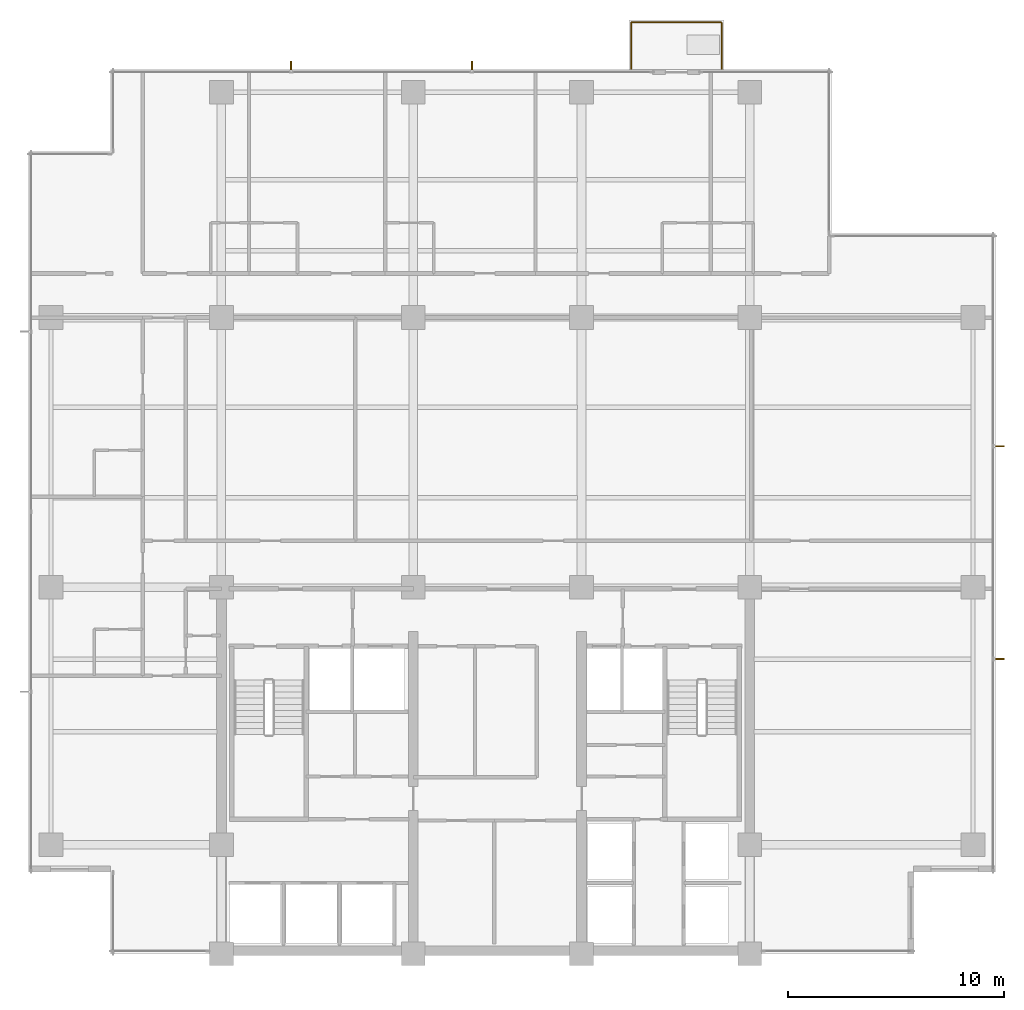
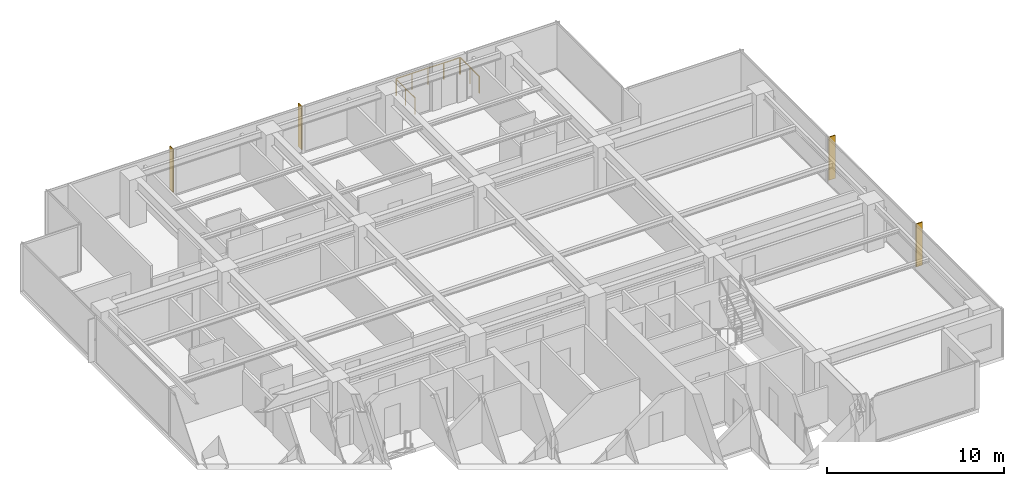
# One storey, part 15 of 15: 4 shading devices, 3 railings.
"""IFC4 building model written with IfcOpenShell, lengths in metres."""

from ifc_helpers import new_model, si_unit, direction, frame, origin, origin_2d, place, context, subcontext, project, spatial, polyline, circle, outline, extrude, material, layer, layer_set, type_object, element, save


model = new_model("IFC4")

# Units and contexts
model_context = context("Model", 3, precision=1e-05, world=origin(), true_north=direction((0.0, 1.0)))
body_context = subcontext(model_context, "Body", "Model", "MODEL_VIEW")
ifc_project = project(units=[si_unit("LENGTHUNIT", "METRE"), si_unit("AREAUNIT", "SQUARE_METRE"), si_unit("VOLUMEUNIT", "CUBIC_METRE"), si_unit("PLANEANGLEUNIT", "RADIAN"), si_unit("MASSUNIT", "GRAM", prefix="KILO")], contexts=[model_context])

# Site, building, storey
site_placement = place(None, origin())
site = spatial("IfcSite", under=ifc_project, at=site_placement, CompositionType="ELEMENT")
building_placement = place(site_placement, origin())
building = spatial("IfcBuilding", under=site, at=building_placement, Name="Qalmaran Belvedere Hotel", CompositionType="ELEMENT")
storey_placement = place(building_placement, frame((0.0, 0.0, 173.60009765625)))
storey = spatial("IfcBuildingStorey", under=building, at=storey_placement, Name="L44", CompositionType="ELEMENT", Elevation=173.60009765625)

# Shading devices
ifc_material = material(Name="Anodised Bronze Aluminium", Category="aluminium")
ifc_layer = layer(ifc_material, 0.06494140625, Name="Anodised Bronze Aluminium")
ifc_layer_set = layer_set([ifc_layer], Name="Anodised Bronze Aluminium")
shading_device_type = type_object("IfcShadingDeviceType", Name="FIN-BRNZ-420", PredefinedType="USERDEFINED", material=ifc_layer_set)
shading_device_1_placement = place(storey_placement, frame((0.0, 0.0, 0.159912109375)))
element("IfcShadingDevice", 1, at=shading_device_1_placement, inside=storey, type_object=shading_device_type, Name="L44 Bronze Fin 1", ObjectType="FIN", PredefinedType="USERDEFINED", context=body_context, shape_type="SweptSolid", body=[
    extrude(outline(polyline([(56.169921875, 17.13427734375), (56.590087890625, 17.13427734375), (56.590087890625, 17.19921875), (56.169921875, 17.19921875), (56.169921875, 17.13427734375)])), origin(), (0.0, 0.0, 1.0), 2.969970703125),
])
shading_device_2_placement = place(storey_placement, frame((0.0, 0.0, 0.159912109375)))
element("IfcShadingDevice", 2, at=shading_device_2_placement, inside=storey, type_object=shading_device_type, Name="L44 Bronze Fin 2", ObjectType="FIN", PredefinedType="USERDEFINED", context=body_context, shape_type="SweptSolid", body=[
    extrude(outline(polyline([(56.169921875, 27.000732421875), (56.590087890625, 27.000732421875), (56.590087890625, 27.06591796875), (56.169921875, 27.06591796875), (56.169921875, 27.000732421875)])), origin(), (0.0, 0.0, 1.0), 2.969970703125),
])
shading_device_3_placement = place(storey_placement, frame((0.0, 0.0, 0.159912109375)))
element("IfcShadingDevice", 3, at=shading_device_3_placement, inside=storey, type_object=shading_device_type, Name="L44 Bronze Fin 1", ObjectType="FIN", PredefinedType="USERDEFINED", context=body_context, shape_type="SweptSolid", body=[
    extrude(outline(polyline([(31.94921875, 44.469970703125), (31.94921875, 44.889892578125), (31.88427734375, 44.889892578125), (31.88427734375, 44.469970703125), (31.94921875, 44.469970703125)])), origin(), (0.0, 0.0, 1.0), 2.969970703125),
])
shading_device_4_placement = place(storey_placement, frame((0.0, 0.0, 0.159912109375)))
element("IfcShadingDevice", 4, at=shading_device_4_placement, inside=storey, type_object=shading_device_type, Name="L44 Bronze Fin 2", ObjectType="FIN", PredefinedType="USERDEFINED", context=body_context, shape_type="SweptSolid", body=[
    extrude(outline(polyline([(23.56591796875, 44.469970703125), (23.56591796875, 44.889892578125), (23.500732421875, 44.889892578125), (23.500732421875, 44.469970703125), (23.56591796875, 44.469970703125)])), origin(), (0.0, 0.0, 1.0), 2.969970703125),
])

# Railings
railing_type = type_object("IfcRailingType", Name="GRD-BAL-1150", PredefinedType="BALUSTRADE", material=ifc_material)
railing_1_placement = place(storey_placement, frame((39.300048828125, 44.534912109375, 0.0)))
element("IfcRailing", 5, at=railing_1_placement, inside=storey, type_object=railing_type, Name="L44 Guardrail BAL-L44-N-1", PredefinedType="BALUSTRADE", context=body_context, shape_type="SweptSolid", body=[
    extrude(circle(Radius=0.02392578125, at=origin_2d()), frame((0.0, 0.0, 1.1259765625), z_axis=(0.0, 1.0, 0.0), x_axis=(-1.0, 0.0, 0.0)), (0.0, 0.0, 1.0), 2.130126953125),
    extrude(circle(Radius=0.02099609375, at=origin_2d()), origin(), (0.0, 0.0, 1.0), 1.101806640625),
    extrude(circle(Radius=0.02099609375, at=origin_2d()), frame((0.0, 1.06494140625, 0.0)), (0.0, 0.0, 1.0), 1.101806640625),
    extrude(circle(Radius=0.02099609375, at=origin_2d()), frame((0.0, 2.130126953125, 0.0)), (0.0, 0.0, 1.0), 1.101806640625),
])
railing_2_placement = place(storey_placement, frame((39.3349609375, 46.699951171875, 0.0)))
element("IfcRailing", 6, at=railing_2_placement, inside=storey, type_object=railing_type, Name="L44 Guardrail BAL-L44-N-2", PredefinedType="BALUSTRADE", context=body_context, shape_type="SweptSolid", body=[
    extrude(circle(Radius=0.02392578125, at=origin_2d()), frame((0.0, 0.0, 1.1259765625), z_axis=(1.0, 0.0, 0.0), x_axis=(0.0, 1.0, 0.0)), (0.0, 0.0, 1.0), 4.130126953125),
    extrude(circle(Radius=0.02099609375, at=origin_2d()), origin(), (0.0, 0.0, 1.0), 1.101806640625),
    extrude(circle(Radius=0.02099609375, at=origin_2d()), frame((1.032470703125, 0.0, 0.0)), (0.0, 0.0, 1.0), 1.101806640625),
    extrude(circle(Radius=0.02099609375, at=origin_2d()), frame((2.06494140625, 0.0, 0.0)), (0.0, 0.0, 1.0), 1.101806640625),
    extrude(circle(Radius=0.02099609375, at=origin_2d()), frame((3.09765625, 0.0, 0.0)), (0.0, 0.0, 1.0), 1.101806640625),
    extrude(circle(Radius=0.02099609375, at=origin_2d()), frame((4.130126953125, 0.0, 0.0)), (0.0, 0.0, 1.0), 1.101806640625),
])
railing_3_placement = place(storey_placement, frame((43.5, 46.6650390625, 0.0)))
element("IfcRailing", 7, at=railing_3_placement, inside=storey, type_object=railing_type, Name="L44 Guardrail BAL-L44-N-3", PredefinedType="BALUSTRADE", context=body_context, shape_type="SweptSolid", body=[
    extrude(circle(Radius=0.02392578125, at=origin_2d()), frame((0.0, 0.0, 1.1259765625), z_axis=(0.0, -1.0, 0.0), x_axis=(1.0, 0.0, 0.0)), (0.0, 0.0, 1.0), 2.130126953125),
    extrude(circle(Radius=0.02099609375, at=origin_2d()), origin(), (0.0, 0.0, 1.0), 1.101806640625),
    extrude(circle(Radius=0.02099609375, at=origin_2d()), frame((0.0, -1.06494140625, 0.0)), (0.0, 0.0, 1.0), 1.101806640625),
    extrude(circle(Radius=0.02099609375, at=origin_2d()), frame((0.0, -2.130126953125, 0.0)), (0.0, 0.0, 1.0), 1.101806640625),
])

save(model, "model.ifc")
